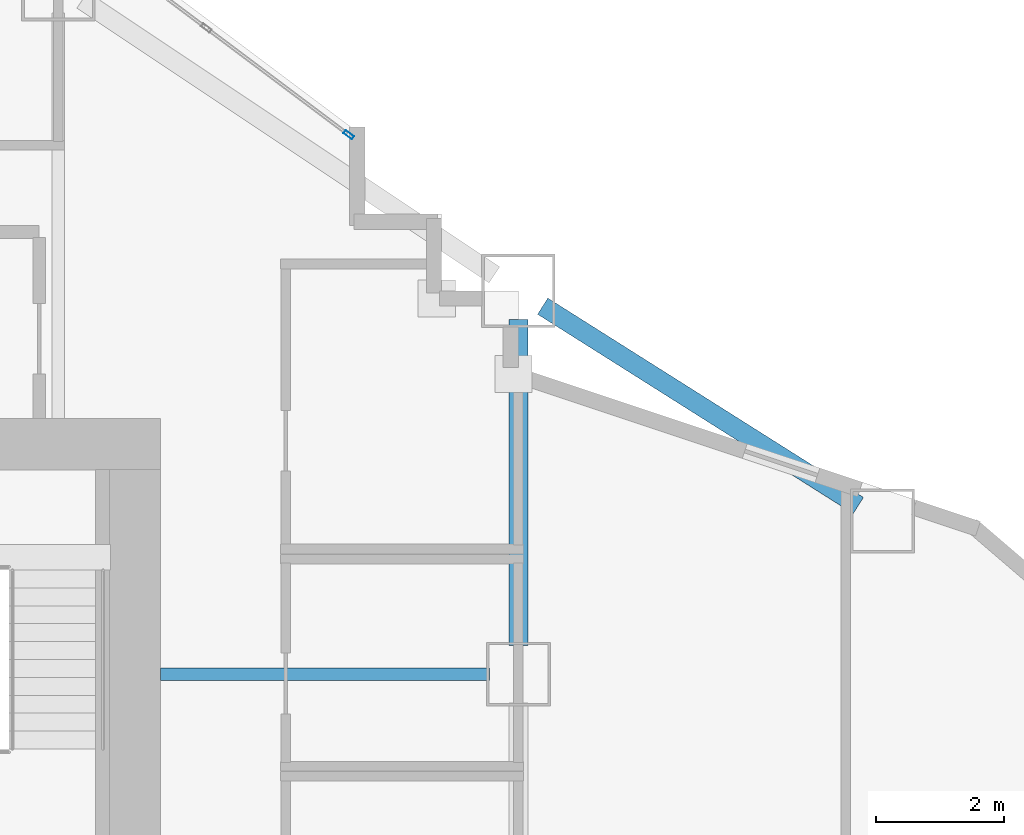
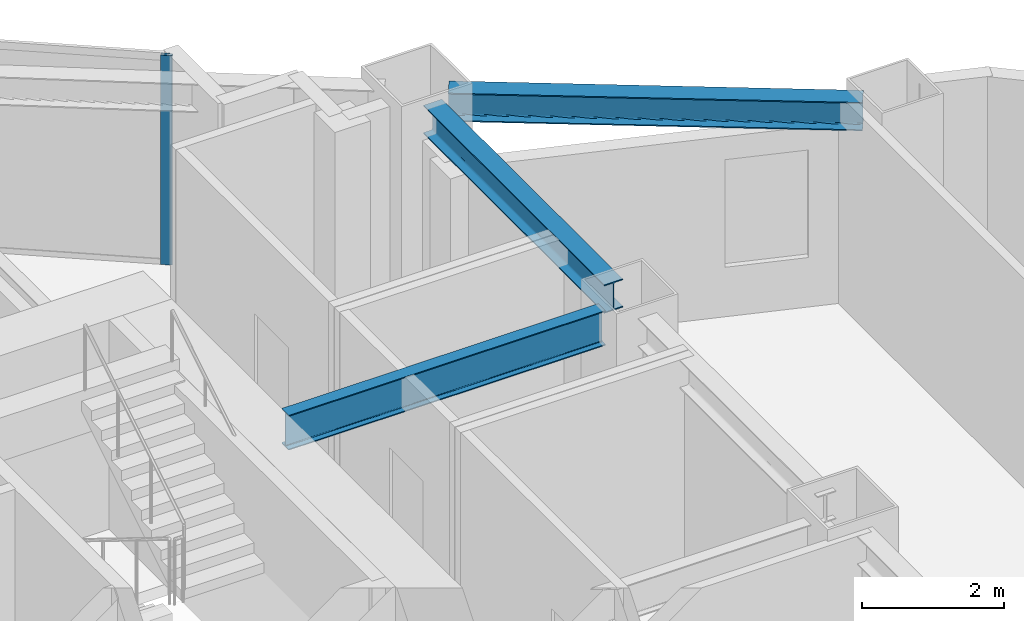
# One storey, part 5 of 16: 3 beams, 1 member, 1 element without a shape of its own.
"""IFC4 building model written with IfcOpenShell, lengths in metres."""

from ifc_helpers import new_model, si_unit, direction, frame, origin, origin_2d, place, context, subcontext, project, spatial, hollow_rectangle, i_section, extrude, material, layer, layer_set, material_profile, profile_set, type_object, element, aggregate, save


model = new_model("IFC4")

# Units and contexts
model_context = context("Model", 3, precision=1e-05, world=origin(), true_north=direction((0.0, 1.0)))
body_context = subcontext(model_context, "Body", "Model", "MODEL_VIEW")
ifc_project = project(units=[si_unit("LENGTHUNIT", "METRE"), si_unit("AREAUNIT", "SQUARE_METRE"), si_unit("VOLUMEUNIT", "CUBIC_METRE"), si_unit("PLANEANGLEUNIT", "RADIAN"), si_unit("MASSUNIT", "GRAM", prefix="KILO")], contexts=[model_context])

# Site, building, storey
site_placement = place(None, origin())
site = spatial("IfcSite", under=ifc_project, at=site_placement, CompositionType="ELEMENT")
building_placement = place(site_placement, origin())
building = spatial("IfcBuilding", under=site, at=building_placement, Name="Haolan Belvedere Tower", CompositionType="ELEMENT")
storey_placement = place(building_placement, frame((0.0, 0.0, 74.199951171875)))
storey = spatial("IfcBuildingStorey", under=building, at=storey_placement, Name="L18", CompositionType="ELEMENT", Elevation=74.199951171875)

# Beams
ifc_material_1 = material(Name="Steel Q355B", Category="steel")
ifc_material_profile_1 = material_profile(ifc_material_1, i_section(OverallWidth=0.300048828125, OverallDepth=0.488037109375, WebThickness=0.010986328125, FlangeThickness=0.01806640625, FilletRadius=0.02587890625, at=origin_2d()), Name="Steel Q355B")
ifc_profile_set_1 = profile_set([ifc_material_profile_1], Name="Steel Q355B")
beam_type_1 = type_object("IfcBeamType", Name="BM-HM488x300x11x18", PredefinedType="SPANDREL", material=ifc_profile_set_1)
beam_1_placement = place(storey_placement, frame((52.800048828125, 40.050048828125, 3.35595703125), z_axis=(0.0, 1.0, 0.0), x_axis=(-1.0, 0.0, 0.0)))
element("IfcBeam", 1, at=beam_1_placement, inside=storey, type_object=beam_type_1, Name="L18 spandrel girder TC-T3-E2-MC-T3-NE", PredefinedType="SPANDREL", context=body_context, shape_type="SweptSolid", body=[
    extrude(i_section(OverallWidth=0.300048828125, OverallDepth=0.488037109375, WebThickness=0.010986328125, FlangeThickness=0.01806640625, FilletRadius=0.02587890625, at=origin_2d()), origin(), (0.0, 0.0, 1.0), 5.099853515625),
])
beam_2_placement = place(storey_placement, frame((53.180419921875, 45.359619140625, 3.35595703125), z_axis=(0.845497840649, -0.533978839898, 0.0), x_axis=(0.533978839898, 0.845497840649, 0.0)))
element("IfcBeam", 2, at=beam_2_placement, inside=storey, type_object=beam_type_1, Name="L18 spandrel girder MC-T3-NE-TC-T4-N1", PredefinedType="SPANDREL", context=body_context, shape_type="SweptSolid", body=[
    extrude(i_section(OverallWidth=0.300048828125, OverallDepth=0.488037109375, WebThickness=0.010986328125, FlangeThickness=0.01806640625, FilletRadius=0.02587890625, at=origin_2d()), origin(), (0.0, 0.0, 1.0), 5.841796875),
])
ifc_material_profile_2 = material_profile(ifc_material_1, i_section(OverallWidth=0.199951171875, OverallDepth=0.60009765625, WebThickness=0.010986328125, FlangeThickness=0.01708984375, FilletRadius=0.02197265625, at=origin_2d()), Name="Steel Q355B")
ifc_profile_set_2 = profile_set([ifc_material_profile_2], Name="Steel Q355B")
beam_type_2 = type_object("IfcBeamType", Name="BM-HN600x200x11x17", PredefinedType="BEAM", material=ifc_profile_set_2)
beam_3_placement = place(storey_placement, frame((52.35009765625, 39.60009765625, 3.300048828125), z_axis=(-1.0, 0.0, 0.0), x_axis=(0.0, -1.0, 0.0)))
element("IfcBeam", 3, at=beam_3_placement, inside=storey, type_object=beam_type_2, Name="L18 core tie beam from TC-T3-E2", PredefinedType="BEAM", context=body_context, shape_type="SweptSolid", body=[
    extrude(i_section(OverallWidth=0.199951171875, OverallDepth=0.60009765625, WebThickness=0.010986328125, FlangeThickness=0.01708984375, FilletRadius=0.02197265625, at=origin_2d()), origin(), (0.0, 0.0, 1.0), 5.150146484375),
])

# Curtain wall, member
ifc_material_2 = material(Name="Anodised champagne-silver aluminium 6063-T6 and Low-E glass", Category="aluminium")
ifc_layer = layer(ifc_material_2, 0.1650390625, Name="Anodised champagne-silver aluminium 6063-T6 and Low-E glass")
ifc_layer_set = layer_set([ifc_layer], Name="Anodised champagne-silver aluminium 6063-T6 and Low-E glass")
curtain_wall_type = type_object("IfcCurtainWallType", Name="CW-SYS-02", PredefinedType="NOTDEFINED", material=ifc_layer_set)
curtain_wall_placement = place(storey_placement, origin())
curtain_wall = element("IfcCurtainWall", 4, at=curtain_wall_placement, inside=storey, type_object=curtain_wall_type, Name="L18 CW-SYS-02 ribbon curtain wall 41.1", PredefinedType="NOTDEFINED")
ifc_material_3 = material(Name="Anodised aluminium 6063-T6", Category="aluminium")
ifc_material_profile_3 = material_profile(ifc_material_3, hollow_rectangle(XDim=0.06005859375, YDim=0.1650390625, WallThickness=0.00390625, at=origin_2d()), Name="Anodised aluminium 6063-T6")
ifc_profile_set_3 = profile_set([ifc_material_profile_3], Name="Anodised aluminium 6063-T6")
member_type = type_object("IfcMemberType", Name="CW-SYS-02-MUL", PredefinedType="MULLION", material=ifc_profile_set_3)
member_placement = place(storey_placement, frame((50.14404296875, 48.0419921875, 0.0), z_axis=(0.0, 0.0, 1.0), x_axis=(-0.599994316874, -0.800004262313, 0.0)))
member = element("IfcMember", 5, at=member_placement, type_object=member_type, Name="CW-02 mullion 1", PredefinedType="MULLION", context=body_context, shape_type="SweptSolid", body=[
    extrude(hollow_rectangle(XDim=0.06005859375, YDim=0.1650390625, WallThickness=0.00390625, at=origin_2d()), origin(), (0.0, 0.0, 1.0), 3.60009765625),
])
aggregate(curtain_wall, [member])

save(model, "model.ifc")
